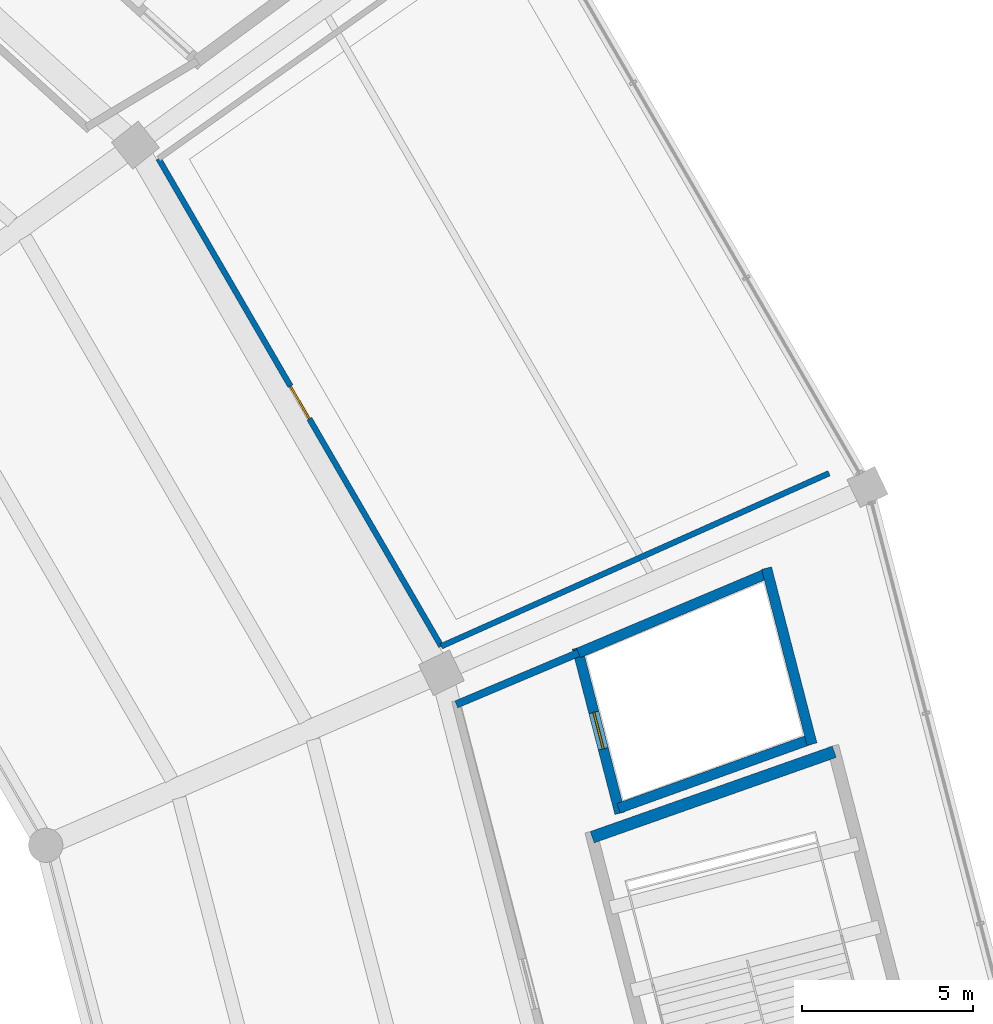
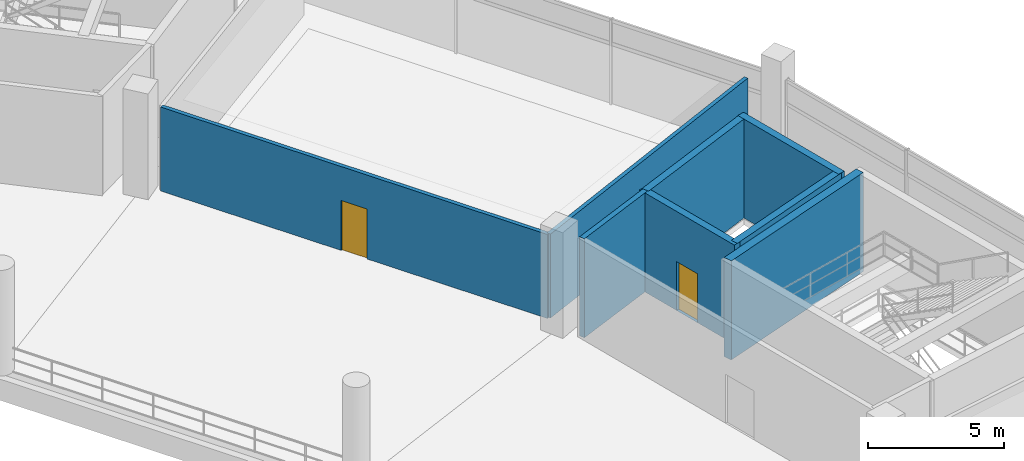
# One storey, part 135 of 171: 8 walls, 2 doors, 2 openings.
"""IFC4 building model written with IfcOpenShell, lengths in metres."""

from ifc_helpers import new_model, si_unit, direction, frame, frame_2d, origin, place, context, subcontext, project, spatial, rectangle, extrude, material, layer, layer_set, type_object, element, fill, save


model = new_model("IFC4")

# Units and contexts
model_context = context("Model", 3, precision=1e-05, world=origin(), true_north=direction((0.0, 1.0)))
body_context = subcontext(model_context, "Body", "Model", "MODEL_VIEW")
ifc_project = project(units=[si_unit("LENGTHUNIT", "METRE"), si_unit("AREAUNIT", "SQUARE_METRE"), si_unit("VOLUMEUNIT", "CUBIC_METRE"), si_unit("PLANEANGLEUNIT", "RADIAN"), si_unit("MASSUNIT", "GRAM", prefix="KILO")], contexts=[model_context])

# Site, building, storey
site_placement = place(None, origin())
site = spatial("IfcSite", under=ifc_project, at=site_placement, CompositionType="ELEMENT")
building_placement = place(site_placement, origin())
building = spatial("IfcBuilding", under=site, at=building_placement, Name="Kazemori Nagisa Stadium", CompositionType="ELEMENT")
storey_placement = place(building_placement, frame((0.0, 0.0, 15.639892578125)))
storey = spatial("IfcBuildingStorey", under=building, at=storey_placement, Name="L03", CompositionType="ELEMENT", Elevation=15.639892578125)

# Walls
ifc_material_1 = material(Name="Concrete C40/50 (Fc42)", Category="concrete")
ifc_layer_1 = layer(ifc_material_1, 0.35009765625, Name="Concrete C40/50 (Fc42)", Category="concrete")
ifc_layer_set_1 = layer_set([ifc_layer_1], Name="Concrete C40/50 (Fc42)")
wall_type_1 = type_object("IfcWallType", Name="Wall_W-CORE-350", PredefinedType="SHEAR", material=ifc_layer_set_1)
wall_1_placement = place(storey_placement, frame((203.844970703125, 130.52294921875, 0.0), z_axis=(0.0, 0.0, 1.0), x_axis=(0.943032412173, 0.332700871042, 0.0)))
element("IfcWall", 1, at=wall_1_placement, inside=storey, type_object=wall_type_1, Name="Core stair right shear wall ST07 L03", PredefinedType="SHEAR", context=body_context, shape_type="SweptSolid", body=[
    extrude(rectangle(XDim=7.49658203125, YDim=0.35009765625, at=frame_2d((3.748291015625, 0.0))), origin(), (0.0, 0.0, 1.0), 4.460205078125),
])
ifc_material_2 = material(Name="Concrete C36/45 (Fc36)", Category="concrete")
ifc_layer_2 = layer(ifc_material_2, 0.219970703125, Name="Concrete C36/45 (Fc36)", Category="concrete")
ifc_layer_set_2 = layer_set([ifc_layer_2], Name="Concrete C36/45 (Fc36)")
wall_type_2 = type_object("IfcWallType", Name="Wall_W-LOBBY-220", PredefinedType="SOLIDWALL", material=ifc_layer_set_2)
wall_2_placement = place(storey_placement, frame((199.877197265625, 134.401123046875, 0.0), z_axis=(0.0, 0.0, 1.0), x_axis=(0.921486922561, 0.388409386535, 0.0)))
element("IfcWall", 2, at=wall_2_placement, inside=storey, type_object=wall_type_2, Name="Core lobby right wall ST07 L03", PredefinedType="SOLIDWALL", context=body_context, shape_type="SweptSolid", body=[
    extrude(rectangle(XDim=3.871337890625, YDim=0.219970703125, at=frame_2d((1.935546875, 0.0))), origin(), (0.0, 0.0, 1.0), 4.460205078125),
])

# Wall, opening, door
ifc_material_3 = material(Name="Gypsum plasterboard", Category="gypsum")
ifc_layer_3 = layer(ifc_material_3, 0.1650390625, Name="Gypsum plasterboard", Category="gypsum")
ifc_layer_set_3 = layer_set([ifc_layer_3], Name="Gypsum plasterboard")
wall_type_3 = type_object("IfcWallType", Name="Wall_W-PART-165", PredefinedType="PARTITIONING", material=ifc_layer_set_3)
wall_3_placement = place(storey_placement, frame((199.4375, 136.098876953125, 0.0), z_axis=(0.0, 0.0, 1.0), x_axis=(-0.501617777052, 0.865089362867, 0.0)))
wall_3 = element("IfcWall", 3, at=wall_3_placement, inside=storey, type_object=wall_type_3, Name="Room corridor partition L03-B03", PredefinedType="PARTITIONING", context=body_context, shape_type="SweptSolid", body=[
    extrude(rectangle(XDim=16.4638671875, YDim=0.1650390625, at=frame_2d((8.23193359375, 0.0))), origin(), (0.0, 0.0, 1.0), 3.780029296875),
])
opening_1_placement = place(wall_3_placement, frame((7.681884765625, 0.0, 0.0)))
opening_1 = element("IfcOpeningElement", 4, at=opening_1_placement, cuts=wall_3, Name="Opening D-SUI-1100", PredefinedType="OPENING", context=body_context, shape_type="SweptSolid", body=[
    extrude(rectangle(XDim=1.10009765625, YDim=2.25, at=frame_2d((0.550048828125, 1.125))), frame((0.0, 0.092529296875, 0.0), z_axis=(0.0, -1.0, 0.0), x_axis=(1.0, 0.0, 0.0)), (0.0, 0.0, 1.0), 0.18505859375),
])
ifc_material_4 = material(Name="Oak timber veneer", Category="wood")
door_type_1 = type_object("IfcDoorType", Name="Door_D-SUI-1100", OperationType="NOTDEFINED", PredefinedType="DOOR", material=ifc_material_4)
door_1_placement = place(opening_1_placement, origin())
door_1 = element("IfcDoor", 5, at=door_1_placement, inside=storey, type_object=door_type_1, Name="Room entrance door D-SUI-1100 L03-B03", OperationType="SINGLE_SWING_RIGHT", OverallHeight=2.25, OverallWidth=1.10009765625, PredefinedType="DOOR", context=body_context, shape_type="SweptSolid", body=[
    extrude(rectangle(XDim=1.10009765625, YDim=2.25, at=frame_2d((0.550048828125, 1.125))), frame((0.0, 0.02490234375, 0.0), z_axis=(0.0, -1.0, 0.0), x_axis=(1.0, 0.0, 0.0)), (0.0, 0.0, 1.0), 0.050048828125),
])
fill(opening_1, door_1)

# Wall
wall_4_placement = place(storey_placement, frame((199.4375, 136.098876953125, 0.0), z_axis=(0.0, 0.0, 1.0), x_axis=(0.913245562849, 0.407409550621, 0.0)))
element("IfcWall", 6, at=wall_4_placement, inside=storey, type_object=wall_type_3, Name="Room radial partition L03-B03-L", PredefinedType="PARTITIONING", context=body_context, shape_type="SweptSolid", body=[
    extrude(rectangle(XDim=12.399658203125, YDim=0.1650390625, at=frame_2d((6.19970703125, 0.0))), origin(), (0.0, 0.0, 1.0), 3.780029296875),
])

# Wall, opening, door
ifc_layer_4 = layer(ifc_material_1, 0.300048828125, Name="Concrete C40/50 (Fc42)", Category="concrete")
ifc_layer_set_4 = layer_set([ifc_layer_4], Name="Concrete C40/50 (Fc42)")
wall_type_4 = type_object("IfcWallType", Name="Wall_W-SHAFT-300", PredefinedType="SHEAR", material=ifc_layer_set_4)
wall_5_placement = place(storey_placement, frame((204.65380859375, 131.22119140625, 0.0), z_axis=(0.0, 0.0, 1.0), x_axis=(-0.250003862389, 0.968244839279, 0.0)))
wall_5 = element("IfcWall", 7, at=wall_5_placement, inside=storey, type_object=wall_type_4, Name="Lift shaft front wall LP5 L03", PredefinedType="SHEAR", context=body_context, shape_type="SweptSolid", body=[
    extrude(rectangle(XDim=4.9873046875, YDim=0.300048828125, at=frame_2d((2.49365234375, 0.0))), origin(), (0.0, 0.0, 1.0), 4.460205078125),
])
opening_2_placement = place(wall_5_placement, frame((1.944091796875, 0.0, 0.0)))
opening_2 = element("IfcOpeningElement", 8, at=opening_2_placement, cuts=wall_5, Name="Opening LD-PAX", PredefinedType="OPENING", context=body_context, shape_type="SweptSolid", body=[
    extrude(rectangle(XDim=1.10009765625, YDim=2.199951171875, at=frame_2d((0.550048828125, 1.10009765625))), frame((0.0, 0.159912109375, 0.0), z_axis=(0.0, -1.0, 0.0), x_axis=(1.0, 0.0, 0.0)), (0.0, 0.0, 1.0), 0.320068359375),
])
ifc_material_5 = material(Name="Stainless steel SUS304", Category="steel")
door_type_2 = type_object("IfcDoorType", Name="Door_LD-PAX", OperationType="SLIDING_TO_RIGHT", PredefinedType="DOOR", material=ifc_material_5)
door_2_placement = place(opening_2_placement, origin())
door_2 = element("IfcDoor", 9, at=door_2_placement, inside=storey, type_object=door_type_2, Name="Lift landing door LP5-L03", OperationType="SLIDING_TO_RIGHT", OverallHeight=2.199951171875, OverallWidth=1.10009765625, PredefinedType="DOOR", context=body_context, shape_type="SweptSolid", body=[
    extrude(rectangle(XDim=1.10009765625, YDim=2.199951171875, at=frame_2d((0.550048828125, 1.10009765625))), frame((0.0, 0.02490234375, 0.0), z_axis=(0.0, -1.0, 0.0), x_axis=(1.0, 0.0, 0.0)), (0.0, 0.0, 1.0), 0.050048828125),
])
fill(opening_2, door_2)

# Walls
wall_6_placement = place(storey_placement, frame((210.263671875, 133.23974609375, 0.0), z_axis=(0.0, 0.0, 1.0), x_axis=(-0.249961459705, 0.968255786795, 0.0)))
element("IfcWall", 10, at=wall_6_placement, inside=storey, type_object=wall_type_4, Name="Lift shaft B wall LP5 L03", PredefinedType="SHEAR", context=body_context, shape_type="SweptSolid", body=[
    extrude(rectangle(XDim=5.309326171875, YDim=0.300048828125, at=frame_2d((2.65478515625, 0.0))), origin(), (0.0, 0.0, 1.0), 4.460205078125),
])
wall_7_placement = place(storey_placement, frame((204.6162109375, 131.366455078125, 0.0), z_axis=(0.0, 0.0, 1.0), x_axis=(0.940945340179, 0.338558513103, 0.0)))
element("IfcWall", 11, at=wall_7_placement, inside=storey, type_object=wall_type_4, Name="Lift shaft L wall LP5 L03", PredefinedType="SHEAR", context=body_context, shape_type="SweptSolid", body=[
    extrude(rectangle(XDim=5.962158203125, YDim=0.300048828125, at=frame_2d((2.98095703125, 0.0))), origin(), (0.0, 0.0, 1.0), 4.460205078125),
])
wall_8_placement = place(storey_placement, frame((203.444580078125, 135.90478515625, 0.0), z_axis=(0.0, 0.0, 1.0), x_axis=(0.92149593043, 0.388388015007, 0.0)))
element("IfcWall", 12, at=wall_8_placement, inside=storey, type_object=wall_type_4, Name="Lift shaft R wall LP5 L03", PredefinedType="SHEAR", context=body_context, shape_type="SweptSolid", body=[
    extrude(rectangle(XDim=6.000732421875, YDim=0.300048828125, at=frame_2d((3.00048828125, 0.0))), origin(), (0.0, 0.0, 1.0), 4.460205078125),
])

save(model, "model.ifc")
